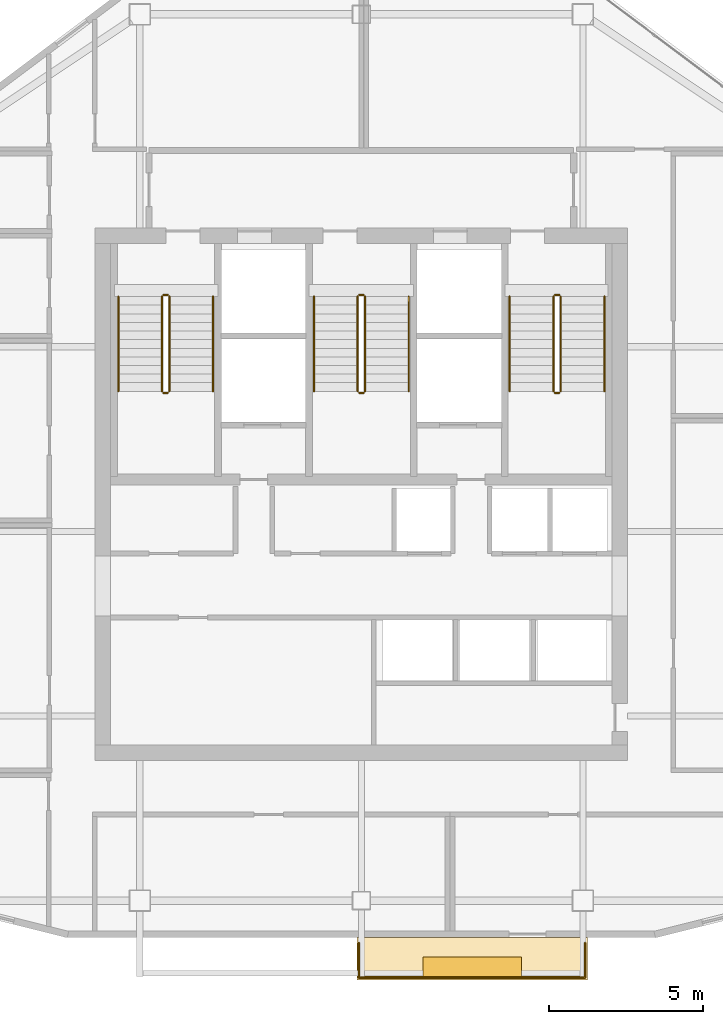
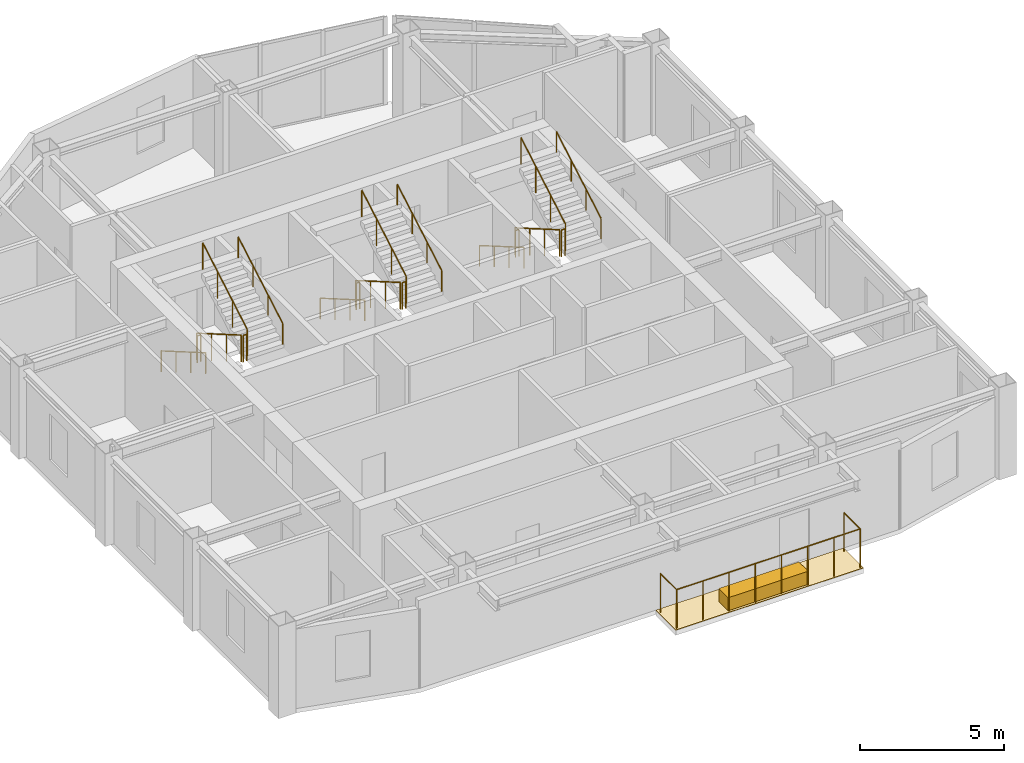
# One storey, part 8 of 8: 20 railings, 2 coverings.
"""IFC4 building model written with IfcOpenShell, lengths in metres."""

from ifc_helpers import new_model, si_unit, direction, frame, origin, origin_2d, place, context, subcontext, project, spatial, polyline, rectangle, circle, outline, extrude, material, layer, layer_set, type_object, element, save


model = new_model("IFC4")

# Units and contexts
model_context = context("Model", 3, precision=1e-05, world=origin(), true_north=direction((0.0, 1.0)))
body_context = subcontext(model_context, "Body", "Model", "MODEL_VIEW")
ifc_project = project(units=[si_unit("LENGTHUNIT", "METRE"), si_unit("AREAUNIT", "SQUARE_METRE"), si_unit("VOLUMEUNIT", "CUBIC_METRE"), si_unit("PLANEANGLEUNIT", "RADIAN"), si_unit("MASSUNIT", "GRAM", prefix="KILO")], contexts=[model_context])

# Site, building, storey
site_placement = place(None, origin())
site = spatial("IfcSite", under=ifc_project, at=site_placement, CompositionType="ELEMENT")
building_placement = place(site_placement, origin())
building = spatial("IfcBuilding", under=site, at=building_placement, Name="Haolan Belvedere Tower", CompositionType="ELEMENT")
storey_placement = place(building_placement, frame((0.0, 0.0, 305.60009765625)))
storey = spatial("IfcBuildingStorey", under=building, at=storey_placement, Name="L77", CompositionType="ELEMENT", Elevation=305.60009765625)

# Coverings
ifc_material_1 = material(Name="Engineered lightweight planted garden soil substrate", Category="masonry")
ifc_layer_1 = layer(ifc_material_1, 0.550048828125, Name="Engineered lightweight planted garden soil substrate")
ifc_layer_set_1 = layer_set([ifc_layer_1], Name="Engineered lightweight planted garden soil substrate")
covering_type_1 = type_object("IfcCoveringType", Name="COV-PLANT-550", PredefinedType="MEMBRANE", material=ifc_layer_set_1)
covering_1_placement = place(storey_placement, frame((42.0, 19.43994140625, 0.0), z_axis=(0.0, 0.0, 1.0), x_axis=(1.0, 0.0, 0.0)))
element("IfcCovering", 1, at=covering_1_placement, inside=storey, type_object=covering_type_1, Name="L77 structural tree balcony PLANTER box 1", PredefinedType="MEMBRANE", context=body_context, shape_type="SweptSolid", body=[
    extrude(rectangle(XDim=3.199951171875, YDim=0.64990234375, at=origin_2d()), origin(), (0.0, 0.0, 1.0), 0.550048828125),
])
ifc_material_2 = material(Name="Elastomeric waterproof roofing membrane and stone pavers", Category="masonry")
ifc_layer_2 = layer(ifc_material_2, 0.02001953125, Name="Elastomeric waterproof roofing membrane and stone pavers")
ifc_layer_set_2 = layer_set([ifc_layer_2], Name="Elastomeric waterproof roofing membrane and stone pavers")
covering_type_2 = type_object("IfcCoveringType", Name="COV-ROOF-20", PredefinedType="ROOFING", material=ifc_layer_set_2)
covering_2_placement = place(storey_placement, frame((0.0, 0.0, -0.02001953125)))
element("IfcCovering", 2, at=covering_2_placement, inside=storey, type_object=covering_type_2, Name="L77 tree-balcony waterproof membrane 1", PredefinedType="ROOFING", context=body_context, shape_type="SweptSolid", body=[
    extrude(outline(polyline([(38.25, 19.02001953125), (45.75, 19.02001953125), (45.75, 20.39990234375), (38.25, 20.39990234375), (38.25, 19.02001953125)])), origin(), (0.0, 0.0, 1.0), 0.02001953125),
])

# Railings
ifc_material_3 = material(Name="Brushed stainless steel 304", Category="steel")
railing_type_1 = type_object("IfcRailingType", Name="RL-STAIR-GRD-1150", PredefinedType="GUARDRAIL", material=ifc_material_3)
railing_1_placement = place(storey_placement, frame((31.919921875, 41.22998046875, 0.162353515625)))
element("IfcRailing", 3, at=railing_1_placement, inside=storey, type_object=railing_type_1, Name="L77 ST1 stair guard 1", PredefinedType="GUARDRAIL", context=body_context, shape_type="SweptSolid", body=[
    extrude(circle(Radius=0.02392578125, at=origin_2d()), frame((0.0, 0.0, 1.1259765625), z_axis=(0.0, -0.864890721111, 0.501960198159), x_axis=(1.0, 0.0, 0.0)), (0.0, 0.0, 1.0), 3.561279296875),
    extrude(circle(Radius=0.02099609375, at=origin_2d()), origin(), (0.0, 0.0, 1.0), 1.101806640625),
    extrude(circle(Radius=0.02099609375, at=origin_2d()), frame((0.0, -1.026611328125, 0.595947265625)), (0.0, 0.0, 1.0), 1.101806640625),
    extrude(circle(Radius=0.02099609375, at=origin_2d()), frame((0.0, -2.053466796875, 1.191650390625)), (0.0, 0.0, 1.0), 1.101806640625),
    extrude(circle(Radius=0.02099609375, at=origin_2d()), frame((0.0, -3.080078125, 1.78759765625)), (0.0, 0.0, 1.0), 1.101806640625),
])
railing_2_placement = place(storey_placement, frame((31.969970703125, 38.10009765625, 1.949951171875)))
element("IfcRailing", 4, at=railing_2_placement, inside=storey, type_object=railing_type_1, Name="L77 ST1 stair guard 2", PredefinedType="GUARDRAIL", context=body_context, shape_type="SweptSolid", body=[
    extrude(circle(Radius=0.02392578125, at=origin_2d()), frame((0.0, 0.0, 1.1259765625), z_axis=(1.0, 0.0, 0.0), x_axis=(0.0, 1.0, 0.0)), (0.0, 0.0, 1.0), 0.14013671875),
    extrude(circle(Radius=0.02099609375, at=origin_2d()), origin(), (0.0, 0.0, 1.0), 1.101806640625),
    extrude(circle(Radius=0.02099609375, at=origin_2d()), frame((0.14013671875, 0.0, 0.0)), (0.0, 0.0, 1.0), 1.101806640625),
])
railing_3_placement = place(storey_placement, frame((32.159912109375, 38.14990234375, 2.1123046875)))
element("IfcRailing", 5, at=railing_3_placement, inside=storey, type_object=railing_type_1, Name="L77 ST1 stair guard 3", PredefinedType="GUARDRAIL", context=body_context, shape_type="SweptSolid", body=[
    extrude(circle(Radius=0.02392578125, at=origin_2d()), frame((0.0, 0.0, 1.1259765625), z_axis=(0.0, 0.864890721111, 0.501960198159), x_axis=(-1.0, 0.0, 0.0)), (0.0, 0.0, 1.0), 3.561279296875),
    extrude(circle(Radius=0.02099609375, at=origin_2d()), origin(), (0.0, 0.0, 1.0), 1.101806640625),
    extrude(circle(Radius=0.02099609375, at=origin_2d()), frame((0.0, 1.026611328125, 0.595947265625)), (0.0, 0.0, 1.0), 1.101806640625),
    extrude(circle(Radius=0.02099609375, at=origin_2d()), frame((0.0, 2.053466796875, 1.191650390625)), (0.0, 0.0, 1.0), 1.101806640625),
    extrude(circle(Radius=0.02099609375, at=origin_2d()), frame((0.0, 3.080078125, 1.78759765625)), (0.0, 0.0, 1.0), 1.101806640625),
])
railing_4_placement = place(storey_placement, frame((31.969970703125, 41.280029296875, 0.0)))
element("IfcRailing", 6, at=railing_4_placement, inside=storey, type_object=railing_type_1, Name="L77 ST1 stair guard 4", PredefinedType="GUARDRAIL", context=body_context, shape_type="SweptSolid", body=[
    extrude(circle(Radius=0.02392578125, at=origin_2d()), frame((0.0, 0.0, 1.1259765625), z_axis=(1.0, 0.0, 0.0), x_axis=(0.0, 1.0, 0.0)), (0.0, 0.0, 1.0), 0.14013671875),
    extrude(circle(Radius=0.02099609375, at=origin_2d()), origin(), (0.0, 0.0, 1.0), 1.101806640625),
    extrude(circle(Radius=0.02099609375, at=origin_2d()), frame((0.14013671875, 0.0, 0.0)), (0.0, 0.0, 1.0), 1.101806640625),
])
railing_5_placement = place(storey_placement, frame((38.280029296875, 41.22998046875, 0.162353515625)))
element("IfcRailing", 7, at=railing_5_placement, inside=storey, type_object=railing_type_1, Name="L77 ST3 stair guard 1", PredefinedType="GUARDRAIL", context=body_context, shape_type="SweptSolid", body=[
    extrude(circle(Radius=0.02392578125, at=origin_2d()), frame((0.0, 0.0, 1.1259765625), z_axis=(0.0, -0.864890721111, 0.501960198159), x_axis=(1.0, 0.0, 0.0)), (0.0, 0.0, 1.0), 3.561279296875),
    extrude(circle(Radius=0.02099609375, at=origin_2d()), origin(), (0.0, 0.0, 1.0), 1.101806640625),
    extrude(circle(Radius=0.02099609375, at=origin_2d()), frame((0.0, -1.026611328125, 0.595947265625)), (0.0, 0.0, 1.0), 1.101806640625),
    extrude(circle(Radius=0.02099609375, at=origin_2d()), frame((0.0, -2.053466796875, 1.191650390625)), (0.0, 0.0, 1.0), 1.101806640625),
    extrude(circle(Radius=0.02099609375, at=origin_2d()), frame((0.0, -3.080078125, 1.78759765625)), (0.0, 0.0, 1.0), 1.101806640625),
])
railing_6_placement = place(storey_placement, frame((38.330078125, 38.10009765625, 1.949951171875)))
element("IfcRailing", 8, at=railing_6_placement, inside=storey, type_object=railing_type_1, Name="L77 ST3 stair guard 2", PredefinedType="GUARDRAIL", context=body_context, shape_type="SweptSolid", body=[
    extrude(circle(Radius=0.02392578125, at=origin_2d()), frame((0.0, 0.0, 1.1259765625), z_axis=(1.0, 0.0, 0.0), x_axis=(0.0, 1.0, 0.0)), (0.0, 0.0, 1.0), 0.139892578125),
    extrude(circle(Radius=0.02099609375, at=origin_2d()), origin(), (0.0, 0.0, 1.0), 1.101806640625),
    extrude(circle(Radius=0.02099609375, at=origin_2d()), frame((0.139892578125, 0.0, 0.0)), (0.0, 0.0, 1.0), 1.101806640625),
])
railing_7_placement = place(storey_placement, frame((38.52001953125, 38.14990234375, 2.1123046875)))
element("IfcRailing", 9, at=railing_7_placement, inside=storey, type_object=railing_type_1, Name="L77 ST3 stair guard 3", PredefinedType="GUARDRAIL", context=body_context, shape_type="SweptSolid", body=[
    extrude(circle(Radius=0.02392578125, at=origin_2d()), frame((0.0, 0.0, 1.1259765625), z_axis=(0.0, 0.864890721111, 0.501960198159), x_axis=(-1.0, 0.0, 0.0)), (0.0, 0.0, 1.0), 3.561279296875),
    extrude(circle(Radius=0.02099609375, at=origin_2d()), origin(), (0.0, 0.0, 1.0), 1.101806640625),
    extrude(circle(Radius=0.02099609375, at=origin_2d()), frame((0.0, 1.026611328125, 0.595947265625)), (0.0, 0.0, 1.0), 1.101806640625),
    extrude(circle(Radius=0.02099609375, at=origin_2d()), frame((0.0, 2.053466796875, 1.191650390625)), (0.0, 0.0, 1.0), 1.101806640625),
    extrude(circle(Radius=0.02099609375, at=origin_2d()), frame((0.0, 3.080078125, 1.78759765625)), (0.0, 0.0, 1.0), 1.101806640625),
])
railing_8_placement = place(storey_placement, frame((38.330078125, 41.280029296875, 0.0)))
element("IfcRailing", 10, at=railing_8_placement, inside=storey, type_object=railing_type_1, Name="L77 ST3 stair guard 4", PredefinedType="GUARDRAIL", context=body_context, shape_type="SweptSolid", body=[
    extrude(circle(Radius=0.02392578125, at=origin_2d()), frame((0.0, 0.0, 1.1259765625), z_axis=(1.0, 0.0, 0.0), x_axis=(0.0, 1.0, 0.0)), (0.0, 0.0, 1.0), 0.139892578125),
    extrude(circle(Radius=0.02099609375, at=origin_2d()), origin(), (0.0, 0.0, 1.0), 1.101806640625),
    extrude(circle(Radius=0.02099609375, at=origin_2d()), frame((0.139892578125, 0.0, 0.0)), (0.0, 0.0, 1.0), 1.101806640625),
])
railing_9_placement = place(storey_placement, frame((44.639892578125, 41.22998046875, 0.162353515625)))
element("IfcRailing", 11, at=railing_9_placement, inside=storey, type_object=railing_type_1, Name="L77 ST2 stair guard 1", PredefinedType="GUARDRAIL", context=body_context, shape_type="SweptSolid", body=[
    extrude(circle(Radius=0.02392578125, at=origin_2d()), frame((0.0, 0.0, 1.1259765625), z_axis=(0.0, -0.864890721111, 0.501960198159), x_axis=(1.0, 0.0, 0.0)), (0.0, 0.0, 1.0), 3.561279296875),
    extrude(circle(Radius=0.02099609375, at=origin_2d()), origin(), (0.0, 0.0, 1.0), 1.101806640625),
    extrude(circle(Radius=0.02099609375, at=origin_2d()), frame((0.0, -1.026611328125, 0.595947265625)), (0.0, 0.0, 1.0), 1.101806640625),
    extrude(circle(Radius=0.02099609375, at=origin_2d()), frame((0.0, -2.053466796875, 1.191650390625)), (0.0, 0.0, 1.0), 1.101806640625),
    extrude(circle(Radius=0.02099609375, at=origin_2d()), frame((0.0, -3.080078125, 1.78759765625)), (0.0, 0.0, 1.0), 1.101806640625),
])
railing_10_placement = place(storey_placement, frame((44.68994140625, 38.10009765625, 1.949951171875)))
element("IfcRailing", 12, at=railing_10_placement, inside=storey, type_object=railing_type_1, Name="L77 ST2 stair guard 2", PredefinedType="GUARDRAIL", context=body_context, shape_type="SweptSolid", body=[
    extrude(circle(Radius=0.02392578125, at=origin_2d()), frame((0.0, 0.0, 1.1259765625), z_axis=(1.0, 0.0, 0.0), x_axis=(0.0, 1.0, 0.0)), (0.0, 0.0, 1.0), 0.14013671875),
    extrude(circle(Radius=0.02099609375, at=origin_2d()), origin(), (0.0, 0.0, 1.0), 1.101806640625),
    extrude(circle(Radius=0.02099609375, at=origin_2d()), frame((0.14013671875, 0.0, 0.0)), (0.0, 0.0, 1.0), 1.101806640625),
])
railing_11_placement = place(storey_placement, frame((44.8798828125, 38.14990234375, 2.1123046875)))
element("IfcRailing", 13, at=railing_11_placement, inside=storey, type_object=railing_type_1, Name="L77 ST2 stair guard 3", PredefinedType="GUARDRAIL", context=body_context, shape_type="SweptSolid", body=[
    extrude(circle(Radius=0.02392578125, at=origin_2d()), frame((0.0, 0.0, 1.1259765625), z_axis=(0.0, 0.864890721111, 0.501960198159), x_axis=(-1.0, 0.0, 0.0)), (0.0, 0.0, 1.0), 3.561279296875),
    extrude(circle(Radius=0.02099609375, at=origin_2d()), origin(), (0.0, 0.0, 1.0), 1.101806640625),
    extrude(circle(Radius=0.02099609375, at=origin_2d()), frame((0.0, 1.026611328125, 0.595947265625)), (0.0, 0.0, 1.0), 1.101806640625),
    extrude(circle(Radius=0.02099609375, at=origin_2d()), frame((0.0, 2.053466796875, 1.191650390625)), (0.0, 0.0, 1.0), 1.101806640625),
    extrude(circle(Radius=0.02099609375, at=origin_2d()), frame((0.0, 3.080078125, 1.78759765625)), (0.0, 0.0, 1.0), 1.101806640625),
])
railing_12_placement = place(storey_placement, frame((44.68994140625, 41.280029296875, 0.0)))
element("IfcRailing", 14, at=railing_12_placement, inside=storey, type_object=railing_type_1, Name="L77 ST2 stair guard 4", PredefinedType="GUARDRAIL", context=body_context, shape_type="SweptSolid", body=[
    extrude(circle(Radius=0.02392578125, at=origin_2d()), frame((0.0, 0.0, 1.1259765625), z_axis=(1.0, 0.0, 0.0), x_axis=(0.0, 1.0, 0.0)), (0.0, 0.0, 1.0), 0.14013671875),
    extrude(circle(Radius=0.02099609375, at=origin_2d()), origin(), (0.0, 0.0, 1.0), 1.101806640625),
    extrude(circle(Radius=0.02099609375, at=origin_2d()), frame((0.14013671875, 0.0, 0.0)), (0.0, 0.0, 1.0), 1.101806640625),
])
railing_type_2 = type_object("IfcRailingType", Name="RL-STAIR-HND-900", PredefinedType="HANDRAIL", material=ifc_material_3)
railing_13_placement = place(storey_placement, frame((30.5, 41.22998046875, 0.162353515625)))
element("IfcRailing", 15, at=railing_13_placement, inside=storey, type_object=railing_type_2, Name="L77 ST1 stair handrail 1", PredefinedType="HANDRAIL", context=body_context, shape_type="SweptSolid", body=[
    extrude(circle(Radius=0.02392578125, at=origin_2d()), frame((0.0, 0.0, 0.8759765625), z_axis=(0.0, -0.864890721111, 0.501960198159), x_axis=(1.0, 0.0, 0.0)), (0.0, 0.0, 1.0), 3.561279296875),
    extrude(circle(Radius=0.02099609375, at=origin_2d()), origin(), (0.0, 0.0, 1.0), 0.851806640625),
    extrude(circle(Radius=0.02099609375, at=origin_2d()), frame((0.0, -1.026611328125, 0.595947265625)), (0.0, 0.0, 1.0), 0.851806640625),
    extrude(circle(Radius=0.02099609375, at=origin_2d()), frame((0.0, -2.053466796875, 1.191650390625)), (0.0, 0.0, 1.0), 0.851806640625),
    extrude(circle(Radius=0.02099609375, at=origin_2d()), frame((0.0, -3.080078125, 1.78759765625)), (0.0, 0.0, 1.0), 0.851806640625),
])
railing_14_placement = place(storey_placement, frame((33.580078125, 38.14990234375, 2.1123046875)))
element("IfcRailing", 16, at=railing_14_placement, inside=storey, type_object=railing_type_2, Name="L77 ST1 stair handrail 2", PredefinedType="HANDRAIL", context=body_context, shape_type="SweptSolid", body=[
    extrude(circle(Radius=0.02392578125, at=origin_2d()), frame((0.0, 0.0, 0.8759765625), z_axis=(0.0, 0.864890721111, 0.501960198159), x_axis=(-1.0, 0.0, 0.0)), (0.0, 0.0, 1.0), 3.561279296875),
    extrude(circle(Radius=0.02099609375, at=origin_2d()), origin(), (0.0, 0.0, 1.0), 0.851806640625),
    extrude(circle(Radius=0.02099609375, at=origin_2d()), frame((0.0, 1.026611328125, 0.595947265625)), (0.0, 0.0, 1.0), 0.851806640625),
    extrude(circle(Radius=0.02099609375, at=origin_2d()), frame((0.0, 2.053466796875, 1.191650390625)), (0.0, 0.0, 1.0), 0.851806640625),
    extrude(circle(Radius=0.02099609375, at=origin_2d()), frame((0.0, 3.080078125, 1.78759765625)), (0.0, 0.0, 1.0), 0.851806640625),
])
railing_15_placement = place(storey_placement, frame((36.860107421875, 41.22998046875, 0.162353515625)))
element("IfcRailing", 17, at=railing_15_placement, inside=storey, type_object=railing_type_2, Name="L77 ST3 stair handrail 1", PredefinedType="HANDRAIL", context=body_context, shape_type="SweptSolid", body=[
    extrude(circle(Radius=0.02392578125, at=origin_2d()), frame((0.0, 0.0, 0.8759765625), z_axis=(0.0, -0.864890721111, 0.501960198159), x_axis=(1.0, 0.0, 0.0)), (0.0, 0.0, 1.0), 3.561279296875),
    extrude(circle(Radius=0.02099609375, at=origin_2d()), origin(), (0.0, 0.0, 1.0), 0.851806640625),
    extrude(circle(Radius=0.02099609375, at=origin_2d()), frame((0.0, -1.026611328125, 0.595947265625)), (0.0, 0.0, 1.0), 0.851806640625),
    extrude(circle(Radius=0.02099609375, at=origin_2d()), frame((0.0, -2.053466796875, 1.191650390625)), (0.0, 0.0, 1.0), 0.851806640625),
    extrude(circle(Radius=0.02099609375, at=origin_2d()), frame((0.0, -3.080078125, 1.78759765625)), (0.0, 0.0, 1.0), 0.851806640625),
])
railing_16_placement = place(storey_placement, frame((39.93994140625, 38.14990234375, 2.1123046875)))
element("IfcRailing", 18, at=railing_16_placement, inside=storey, type_object=railing_type_2, Name="L77 ST3 stair handrail 2", PredefinedType="HANDRAIL", context=body_context, shape_type="SweptSolid", body=[
    extrude(circle(Radius=0.02392578125, at=origin_2d()), frame((0.0, 0.0, 0.8759765625), z_axis=(0.0, 0.864890721111, 0.501960198159), x_axis=(-1.0, 0.0, 0.0)), (0.0, 0.0, 1.0), 3.561279296875),
    extrude(circle(Radius=0.02099609375, at=origin_2d()), origin(), (0.0, 0.0, 1.0), 0.851806640625),
    extrude(circle(Radius=0.02099609375, at=origin_2d()), frame((0.0, 1.026611328125, 0.595947265625)), (0.0, 0.0, 1.0), 0.851806640625),
    extrude(circle(Radius=0.02099609375, at=origin_2d()), frame((0.0, 2.053466796875, 1.191650390625)), (0.0, 0.0, 1.0), 0.851806640625),
    extrude(circle(Radius=0.02099609375, at=origin_2d()), frame((0.0, 3.080078125, 1.78759765625)), (0.0, 0.0, 1.0), 0.851806640625),
])
railing_17_placement = place(storey_placement, frame((43.219970703125, 41.22998046875, 0.162353515625)))
element("IfcRailing", 19, at=railing_17_placement, inside=storey, type_object=railing_type_2, Name="L77 ST2 stair handrail 1", PredefinedType="HANDRAIL", context=body_context, shape_type="SweptSolid", body=[
    extrude(circle(Radius=0.02392578125, at=origin_2d()), frame((0.0, 0.0, 0.8759765625), z_axis=(0.0, -0.864890721111, 0.501960198159), x_axis=(1.0, 0.0, 0.0)), (0.0, 0.0, 1.0), 3.561279296875),
    extrude(circle(Radius=0.02099609375, at=origin_2d()), origin(), (0.0, 0.0, 1.0), 0.851806640625),
    extrude(circle(Radius=0.02099609375, at=origin_2d()), frame((0.0, -1.026611328125, 0.595947265625)), (0.0, 0.0, 1.0), 0.851806640625),
    extrude(circle(Radius=0.02099609375, at=origin_2d()), frame((0.0, -2.053466796875, 1.191650390625)), (0.0, 0.0, 1.0), 0.851806640625),
    extrude(circle(Radius=0.02099609375, at=origin_2d()), frame((0.0, -3.080078125, 1.78759765625)), (0.0, 0.0, 1.0), 0.851806640625),
])
railing_18_placement = place(storey_placement, frame((46.300048828125, 38.14990234375, 2.1123046875)))
element("IfcRailing", 20, at=railing_18_placement, inside=storey, type_object=railing_type_2, Name="L77 ST2 stair handrail 2", PredefinedType="HANDRAIL", context=body_context, shape_type="SweptSolid", body=[
    extrude(circle(Radius=0.02392578125, at=origin_2d()), frame((0.0, 0.0, 0.8759765625), z_axis=(0.0, 0.864890721111, 0.501960198159), x_axis=(-1.0, 0.0, 0.0)), (0.0, 0.0, 1.0), 3.561279296875),
    extrude(circle(Radius=0.02099609375, at=origin_2d()), origin(), (0.0, 0.0, 1.0), 0.851806640625),
    extrude(circle(Radius=0.02099609375, at=origin_2d()), frame((0.0, 1.026611328125, 0.595947265625)), (0.0, 0.0, 1.0), 0.851806640625),
    extrude(circle(Radius=0.02099609375, at=origin_2d()), frame((0.0, 2.053466796875, 1.191650390625)), (0.0, 0.0, 1.0), 0.851806640625),
    extrude(circle(Radius=0.02099609375, at=origin_2d()), frame((0.0, 3.080078125, 1.78759765625)), (0.0, 0.0, 1.0), 0.851806640625),
])
ifc_material_4 = material(Name="Anodised aluminium and laminated glass balustrade", Category="aluminium")
railing_type_3 = type_object("IfcRailingType", Name="RL-TER-BAL-1150", PredefinedType="BALUSTRADE", material=ifc_material_4)
railing_19_placement = place(storey_placement, frame((38.330078125, 19.10009765625, 0.0)))
element("IfcRailing", 21, at=railing_19_placement, inside=storey, type_object=railing_type_3, Name="L77 outdoor perimeter balustrade BAL-L77-1-1", PredefinedType="BALUSTRADE", context=body_context, shape_type="SweptSolid", body=[
    extrude(circle(Radius=0.02392578125, at=origin_2d()), frame((0.0, 0.0, 1.6259765625), z_axis=(0.0, 1.0, 0.0), x_axis=(-1.0, 0.0, 0.0)), (0.0, 0.0, 1.0), 1.119873046875),
    extrude(circle(Radius=0.02099609375, at=origin_2d()), origin(), (0.0, 0.0, 1.0), 1.601806640625),
    extrude(circle(Radius=0.02099609375, at=origin_2d()), frame((0.0, 1.119873046875, 0.0)), (0.0, 0.0, 1.0), 1.601806640625),
])
railing_20_placement = place(storey_placement, frame((45.669921875, 20.219970703125, 0.0)))
element("IfcRailing", 22, at=railing_20_placement, inside=storey, type_object=railing_type_3, Name="L77 outdoor perimeter balustrade BAL-L77-1-2", PredefinedType="BALUSTRADE", context=body_context, shape_type="SweptSolid", body=[
    extrude(circle(Radius=0.02392578125, at=origin_2d()), frame((0.0, 0.0, 1.6259765625), z_axis=(0.0, -1.0, 0.0), x_axis=(1.0, 0.0, 0.0)), (0.0, 0.0, 1.0), 1.119873046875),
    extrude(circle(Radius=0.02392578125, at=origin_2d()), frame((0.0, -1.119873046875, 1.6259765625), z_axis=(-1.0, 0.0, 0.0), x_axis=(0.0, -1.0, 0.0)), (0.0, 0.0, 1.0), 7.33984375),
    extrude(circle(Radius=0.02099609375, at=origin_2d()), origin(), (0.0, 0.0, 1.0), 1.601806640625),
    extrude(circle(Radius=0.02099609375, at=origin_2d()), frame((0.0, -1.119873046875, 0.0)), (0.0, 0.0, 1.0), 1.601806640625),
    extrude(circle(Radius=0.02099609375, at=origin_2d()), frame((-1.048583984375, -1.119873046875, 0.0)), (0.0, 0.0, 1.0), 1.601806640625),
    extrude(circle(Radius=0.02099609375, at=origin_2d()), frame((-2.09716796875, -1.119873046875, 0.0)), (0.0, 0.0, 1.0), 1.601806640625),
    extrude(circle(Radius=0.02099609375, at=origin_2d()), frame((-3.145751953125, -1.119873046875, 0.0)), (0.0, 0.0, 1.0), 1.601806640625),
    extrude(circle(Radius=0.02099609375, at=origin_2d()), frame((-4.194091796875, -1.119873046875, 0.0)), (0.0, 0.0, 1.0), 1.601806640625),
    extrude(circle(Radius=0.02099609375, at=origin_2d()), frame((-5.24267578125, -1.119873046875, 0.0)), (0.0, 0.0, 1.0), 1.601806640625),
    extrude(circle(Radius=0.02099609375, at=origin_2d()), frame((-6.291259765625, -1.119873046875, 0.0)), (0.0, 0.0, 1.0), 1.601806640625),
    extrude(circle(Radius=0.02099609375, at=origin_2d()), frame((-7.33984375, -1.119873046875, 0.0)), (0.0, 0.0, 1.0), 1.601806640625),
])

save(model, "model.ifc")
